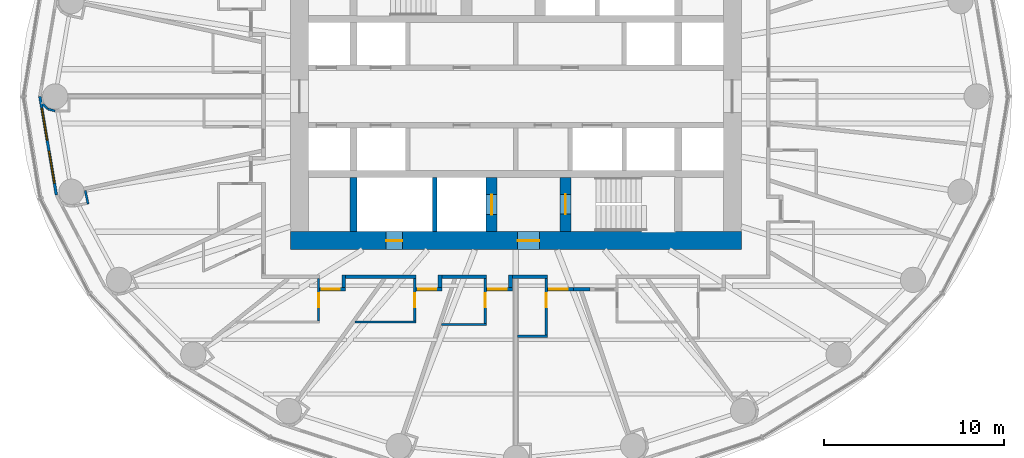
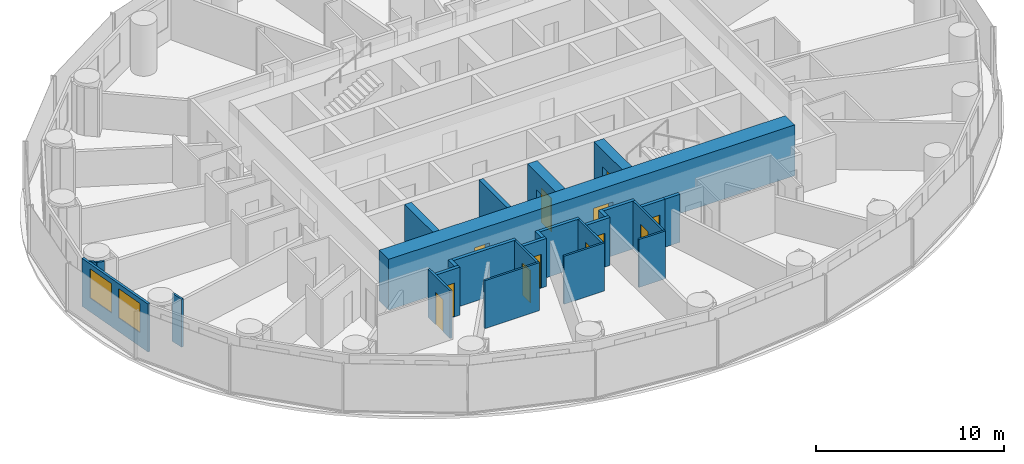
# One storey, part 7 of 14: 27 walls, 12 doors, 2 windows, 14 openings.
"""IFC4 building model written with IfcOpenShell, lengths in metres."""

from ifc_helpers import new_model, si_unit, direction, frame, frame_2d, origin, place, context, subcontext, project, spatial, rectangle, extrude, material, layer, layer_set, type_object, element, fill, save


model = new_model("IFC4")

# Units and contexts
model_context = context("Model", 3, precision=1e-05, world=origin(), true_north=direction((0.0, 1.0)))
body_context = subcontext(model_context, "Body", "Model", "MODEL_VIEW")
ifc_project = project(units=[si_unit("LENGTHUNIT", "METRE"), si_unit("AREAUNIT", "SQUARE_METRE"), si_unit("VOLUMEUNIT", "CUBIC_METRE"), si_unit("PLANEANGLEUNIT", "RADIAN"), si_unit("MASSUNIT", "GRAM", prefix="KILO")], contexts=[model_context])

# Site, building, storey
site_placement = place(None, origin())
site = spatial("IfcSite", under=ifc_project, at=site_placement, CompositionType="ELEMENT")
building_placement = place(site_placement, origin())
building = spatial("IfcBuilding", under=site, at=building_placement, Name="Hankou Lantern Tower", CompositionType="ELEMENT")
storey_placement = place(building_placement, frame((0.0, 0.0, 50.699951171875)))
storey = spatial("IfcBuildingStorey", under=building, at=storey_placement, Name="L11", CompositionType="ELEMENT", Elevation=50.699951171875)

# Wall, openings, doors
ifc_material_1 = material(Name="Concrete C60", Category="concrete")
ifc_layer_1 = layer(ifc_material_1, 1.0)
ifc_layer_set_1 = layer_set([ifc_layer_1], Name="Concrete C60")
wall_type_1 = type_object("IfcWallType", Name="CW1 CORE WALL 1000", PredefinedType="SHEAR", material=ifc_layer_set_1)
wall_1_placement = place(storey_placement, frame((12.5, -8.0, 0.0), z_axis=(0.0, 0.0, 1.0), x_axis=(-1.0, 0.0, 0.0)))
wall_1 = element("IfcWall", 1, at=wall_1_placement, inside=storey, type_object=wall_type_1, Name="Core wall south L11", PredefinedType="SHEAR", context=body_context, shape_type="SweptSolid", body=[
    extrude(rectangle(XDim=25.0, YDim=1.0, at=frame_2d((12.5, 0.0))), origin(), (0.0, 0.0, 1.0), 3.300048828125),
])
opening_1_placement = place(wall_1_placement, frame((11.199951171875, 0.0, 0.0)))
opening_1 = element("IfcOpeningElement", 2, at=opening_1_placement, cuts=wall_1, Name="Opening D5", PredefinedType="OPENING", context=body_context, shape_type="SweptSolid", body=[
    extrude(rectangle(XDim=1.199951171875, YDim=2.199951171875, at=frame_2d((0.60009765625, 1.10009765625))), frame((0.0, 0.510009765625, 0.0), z_axis=(0.0, -1.0, 0.0), x_axis=(1.0, 0.0, 0.0)), (0.0, 0.0, 1.0), 1.02001953125),
])
opening_2_placement = place(wall_1_placement, frame((18.800048828125, 0.0, 0.0)))
opening_2 = element("IfcOpeningElement", 3, at=opening_2_placement, cuts=wall_1, Name="Opening D7", PredefinedType="OPENING", context=body_context, shape_type="SweptSolid", body=[
    extrude(rectangle(XDim=0.89990234375, YDim=2.199951171875, at=frame_2d((0.449951171875, 1.10009765625))), frame((0.0, 0.510009765625, 0.0), z_axis=(0.0, -1.0, 0.0), x_axis=(1.0, 0.0, 0.0)), (0.0, 0.0, 1.0), 1.02001953125),
])
ifc_material_2 = material(Name="Steel door leaf", Category="steel")
door_type_1 = type_object("IfcDoorType", Name="D5 STAIR LOBBY DOOR 1200X2200", OperationType="SINGLE_SWING_LEFT", PredefinedType="DOOR", material=ifc_material_2)
door_1_placement = place(opening_1_placement, origin())
door_1 = element("IfcDoor", 4, at=door_1_placement, inside=storey, type_object=door_type_1, Name="Stair B lobby door", OperationType="SINGLE_SWING_LEFT", OverallHeight=2.199951171875, OverallWidth=1.199951171875, PredefinedType="DOOR", context=body_context, shape_type="SweptSolid", body=[
    extrude(rectangle(XDim=1.199951171875, YDim=2.199951171875, at=frame_2d((0.60009765625, 1.10009765625))), frame((0.0, 0.02490234375, 0.0), z_axis=(0.0, -1.0, 0.0), x_axis=(1.0, 0.0, 0.0)), (0.0, 0.0, 1.0), 0.050048828125),
])
fill(opening_1, door_1)
ifc_material_3 = material(Name="Steel door leaf", Category="steel")
door_type_2 = type_object("IfcDoorType", Name="D7 RISER DOOR 900X2200", OperationType="SINGLE_SWING_LEFT", PredefinedType="DOOR", material=ifc_material_3)
door_2_placement = place(opening_2_placement, origin())
door_2 = element("IfcDoor", 5, at=door_2_placement, inside=storey, type_object=door_type_2, Name="Riser S1 door", OperationType="SINGLE_SWING_RIGHT", OverallHeight=2.199951171875, OverallWidth=0.89990234375, PredefinedType="DOOR", context=body_context, shape_type="SweptSolid", body=[
    extrude(rectangle(XDim=0.89990234375, YDim=2.199951171875, at=frame_2d((0.449951171875, 1.10009765625))), frame((0.0, 0.02490234375, 0.0), z_axis=(0.0, -1.0, 0.0), x_axis=(1.0, 0.0, 0.0)), (0.0, 0.0, 1.0), 0.050048828125),
])
fill(opening_2, door_2)

# Wall
ifc_material_4 = material(Name="Concrete C60", Category="concrete")
ifc_layer_2 = layer(ifc_material_4, 0.39990234375)
ifc_layer_set_2 = layer_set([ifc_layer_2], Name="Concrete C60")
wall_type_2 = type_object("IfcWallType", Name="CW4 CORE CROSS WALL 400", PredefinedType="SHEAR", material=ifc_layer_set_2)
wall_2_placement = place(storey_placement, frame((-9.0, -7.5, 0.0), z_axis=(0.0, 0.0, 1.0), x_axis=(0.0, 1.0, 0.0)))
element("IfcWall", 6, at=wall_2_placement, inside=storey, type_object=wall_type_2, Name="Core strip wall L11", PredefinedType="SHEAR", context=body_context, shape_type="SweptSolid", body=[
    extrude(rectangle(XDim=3.0, YDim=0.39990234375, at=frame_2d((1.5, 0.0))), origin(), (0.0, 0.0, 1.0), 3.300048828125),
])

# Wall, opening, door
ifc_material_5 = material(Name="Concrete C60", Category="concrete")
ifc_layer_3 = layer(ifc_material_5, 0.60009765625)
ifc_layer_set_3 = layer_set([ifc_layer_3], Name="Concrete C60")
wall_type_3 = type_object("IfcWallType", Name="CW6 STAIR AND SHAFT WALL 600", PredefinedType="SHEAR", material=ifc_layer_set_3)
wall_3_placement = place(storey_placement, frame((2.75, -7.5, 0.0), z_axis=(0.0, 0.0, 1.0), x_axis=(0.0, 1.0, 0.0)))
wall_3 = element("IfcWall", 7, at=wall_3_placement, inside=storey, type_object=wall_type_3, Name="Stair wall L11", PredefinedType="SHEAR", context=body_context, shape_type="SweptSolid", body=[
    extrude(rectangle(XDim=3.0, YDim=0.60009765625, at=frame_2d((1.5, 0.0))), origin(), (0.0, 0.0, 1.0), 3.300048828125),
])
opening_3_placement = place(wall_3_placement, frame((0.97509765625, 0.0, 0.0)))
opening_3 = element("IfcOpeningElement", 8, at=opening_3_placement, cuts=wall_3, Name="Opening D4", PredefinedType="OPENING", context=body_context, shape_type="SweptSolid", body=[
    extrude(rectangle(XDim=1.10009765625, YDim=2.199951171875, at=frame_2d((0.550048828125, 1.10009765625))), frame((0.0, 0.31005859375, 0.0), z_axis=(0.0, -1.0, 0.0), x_axis=(1.0, 0.0, 0.0)), (0.0, 0.0, 1.0), 0.6201171875),
])
ifc_material_6 = material(Name="Steel door leaf", Category="steel")
door_type_3 = type_object("IfcDoorType", Name="D4 STAIR DOOR 1100X2200", OperationType="SINGLE_SWING_LEFT", PredefinedType="DOOR", material=ifc_material_6)
door_3_placement = place(opening_3_placement, origin())
door_3 = element("IfcDoor", 9, at=door_3_placement, inside=storey, type_object=door_type_3, Name="Stair B door", OperationType="SINGLE_SWING_RIGHT", OverallHeight=2.199951171875, OverallWidth=1.10009765625, PredefinedType="DOOR", context=body_context, shape_type="SweptSolid", body=[
    extrude(rectangle(XDim=1.10009765625, YDim=2.199951171875, at=frame_2d((0.550048828125, 1.10009765625))), frame((0.0, 0.02490234375, 0.0), z_axis=(0.0, -1.0, 0.0), x_axis=(1.0, 0.0, 0.0)), (0.0, 0.0, 1.0), 0.050048828125),
])
fill(opening_3, door_3)

wall_4_placement = place(storey_placement, frame((-1.35009765625, -7.5, 0.0), z_axis=(0.0, 0.0, 1.0), x_axis=(0.0, 1.0, 0.0)))
wall_4 = element("IfcWall", 10, at=wall_4_placement, inside=storey, type_object=wall_type_3, Name="Firefighting lift shaft wall L11", PredefinedType="SHEAR", context=body_context, shape_type="SweptSolid", body=[
    extrude(rectangle(XDim=3.0, YDim=0.60009765625, at=frame_2d((1.5, 0.0))), origin(), (0.0, 0.0, 1.0), 3.300048828125),
])
opening_4_placement = place(wall_4_placement, frame((0.949951171875, 0.0, 0.0)))
opening_4 = element("IfcOpeningElement", 11, at=opening_4_placement, cuts=wall_4, Name="Opening LD2", PredefinedType="OPENING", context=body_context, shape_type="SweptSolid", body=[
    extrude(rectangle(XDim=1.10009765625, YDim=2.199951171875, at=frame_2d((0.550048828125, 1.10009765625))), frame((0.0, 0.31005859375, 0.0), z_axis=(0.0, -1.0, 0.0), x_axis=(1.0, 0.0, 0.0)), (0.0, 0.0, 1.0), 0.6201171875),
])
ifc_material_7 = material(Name="Steel door leaf", Category="steel")
door_type_4 = type_object("IfcDoorType", Name="LD2 FIREFIGHTING LIFT LANDING DOOR 1100X2200", OperationType="DOUBLE_DOOR_SLIDING", PredefinedType="DOOR", material=ifc_material_7)
door_4_placement = place(opening_4_placement, origin())
door_4 = element("IfcDoor", 12, at=door_4_placement, inside=storey, type_object=door_type_4, Name="Firefighting lift FL2 landing door", OperationType="DOUBLE_DOOR_SLIDING", OverallHeight=2.199951171875, OverallWidth=1.10009765625, PredefinedType="DOOR", context=body_context, shape_type="SweptSolid", body=[
    extrude(rectangle(XDim=1.10009765625, YDim=2.199951171875, at=frame_2d((0.550048828125, 1.10009765625))), frame((0.0, 0.02490234375, 0.0), z_axis=(0.0, -1.0, 0.0), x_axis=(1.0, 0.0, 0.0)), (0.0, 0.0, 1.0), 0.050048828125),
])
fill(opening_4, door_4)

# Wall, openings, windows
ifc_material_8 = material(Name="Aluminium spandrel panel on steel studs", Category="steel")
ifc_layer_4 = layer(ifc_material_8, 0.14990234375)
ifc_layer_set_4 = layer_set([ifc_layer_4], Name="Aluminium spandrel panel on steel studs")
wall_type_4 = type_object("IfcWallType", Name="EW1 INNER SKIN WALL 150", PredefinedType="ELEMENTEDWALL", material=ifc_layer_set_4)
wall_5_placement = place(storey_placement, frame((-26.39990234375, 0.0, 0.0), z_axis=(0.0, 0.0, 1.0), x_axis=(0.165642551694, -0.986185857264, 0.0)))
wall_5 = element("IfcWall", 13, at=wall_5_placement, inside=storey, type_object=wall_type_4, Name="Inner skin R13-R14 L11", PredefinedType="ELEMENTEDWALL", context=body_context, shape_type="SweptSolid", body=[
    extrude(rectangle(XDim=5.538818359375, YDim=0.14990234375, at=frame_2d((2.76953125, 0.0))), origin(), (0.0, 0.0, 1.0), 3.1201171875),
])
opening_5_placement = place(wall_5_placement, frame((0.66943359375, 0.0, 0.89990234375)))
opening_5 = element("IfcOpeningElement", 14, at=opening_5_placement, cuts=wall_5, Name="Opening W1", PredefinedType="OPENING", context=body_context, shape_type="SweptSolid", body=[
    extrude(rectangle(XDim=1.800048828125, YDim=1.89990234375, at=frame_2d((0.89990234375, 0.949951171875))), frame((0.0, 0.0849609375, 0.0), z_axis=(0.0, -1.0, 0.0), x_axis=(1.0, 0.0, 0.0)), (0.0, 0.0, 1.0), 0.169921875),
])
opening_6_placement = place(wall_5_placement, frame((3.069580078125, 0.0, 0.89990234375)))
opening_6 = element("IfcOpeningElement", 15, at=opening_6_placement, cuts=wall_5, Name="Opening W1", PredefinedType="OPENING", context=body_context, shape_type="SweptSolid", body=[
    extrude(rectangle(XDim=1.800048828125, YDim=1.89990234375, at=frame_2d((0.89990234375, 0.949951171875))), frame((0.0, 0.0849609375, 0.0), z_axis=(0.0, -1.0, 0.0), x_axis=(1.0, 0.0, 0.0)), (0.0, 0.0, 1.0), 0.169921875),
])
ifc_material_9 = material(Name="Aluminium framed double glazed window", Category="aluminium")
window_type = type_object("IfcWindowType", Name="W1 GUEST ROOM WINDOW 1800X1900", PartitioningType="DOUBLE_PANEL_VERTICAL", PredefinedType="WINDOW", material=ifc_material_9)
window_1_placement = place(opening_5_placement, origin())
window_1 = element("IfcWindow", 16, at=window_1_placement, inside=storey, type_object=window_type, Name="Window R13.1 L11", OverallHeight=1.89990234375, OverallWidth=1.800048828125, PartitioningType="SINGLE_PANEL", PredefinedType="WINDOW", context=body_context, shape_type="SweptSolid", body=[
    extrude(rectangle(XDim=1.800048828125, YDim=1.89990234375, at=frame_2d((0.89990234375, 0.949951171875))), frame((0.0, 0.030029296875, 0.0), z_axis=(0.0, -1.0, 0.0), x_axis=(1.0, 0.0, 0.0)), (0.0, 0.0, 1.0), 0.06005859375),
])
fill(opening_5, window_1)
window_2_placement = place(opening_6_placement, origin())
window_2 = element("IfcWindow", 17, at=window_2_placement, inside=storey, type_object=window_type, Name="Window R13.2 L11", OverallHeight=1.89990234375, OverallWidth=1.800048828125, PartitioningType="SINGLE_PANEL", PredefinedType="WINDOW", context=body_context, shape_type="SweptSolid", body=[
    extrude(rectangle(XDim=1.800048828125, YDim=1.89990234375, at=frame_2d((0.89990234375, 0.949951171875))), frame((0.0, 0.030029296875, 0.0), z_axis=(0.0, -1.0, 0.0), x_axis=(1.0, 0.0, 0.0)), (0.0, 0.0, 1.0), 0.06005859375),
])
fill(opening_6, window_2)

# Wall, opening, door
ifc_material_10 = material(Name="Masonry lightweight concrete block", Category="masonry")
ifc_layer_5 = layer(ifc_material_10, 0.199951171875)
ifc_layer_set_5 = layer_set([ifc_layer_5], Name="Masonry lightweight concrete block")
wall_type_5 = type_object("IfcWallType", Name="IW2 CORRIDOR WALL 200", PredefinedType="PARTITIONING", material=ifc_layer_set_5)
wall_6_placement = place(storey_placement, frame((-9.445068359375, -10.699951171875, 0.0), z_axis=(0.0, 0.0, 1.0), x_axis=(-1.0, 0.0, 0.0)))
wall_6 = element("IfcWall", 18, at=wall_6_placement, inside=storey, type_object=wall_type_5, Name="Corridor recess wall 1112 back", PredefinedType="PARTITIONING", context=body_context, shape_type="SweptSolid", body=[
    extrude(rectangle(XDim=1.43994140625, YDim=0.199951171875, at=frame_2d((0.719970703125, 0.0))), origin(), (0.0, 0.0, 1.0), 3.1201171875),
])
opening_7_placement = place(wall_6_placement, frame((0.320068359375, 0.0, 0.0)))
opening_7 = element("IfcOpeningElement", 19, at=opening_7_placement, cuts=wall_6, Name="Opening D1", PredefinedType="OPENING", context=body_context, shape_type="SweptSolid", body=[
    extrude(rectangle(XDim=1.0, YDim=2.199951171875, at=frame_2d((0.5, 1.10009765625))), frame((0.0, 0.10986328125, 0.0), z_axis=(0.0, -1.0, 0.0), x_axis=(1.0, 0.0, 0.0)), (0.0, 0.0, 1.0), 0.219970703125),
])
ifc_material_11 = material(Name="Steel door leaf", Category="steel")
door_type_5 = type_object("IfcDoorType", Name="D1 GUEST ROOM DOOR 1000X2200", OperationType="SINGLE_SWING_LEFT", PredefinedType="DOOR", material=ifc_material_11)
door_5_placement = place(opening_7_placement, origin())
door_5 = element("IfcDoor", 20, at=door_5_placement, inside=storey, type_object=door_type_5, Name="Guest room door 1112", OperationType="SINGLE_SWING_RIGHT", OverallHeight=2.199951171875, OverallWidth=1.0, PredefinedType="DOOR", context=body_context, shape_type="SweptSolid", body=[
    extrude(rectangle(XDim=1.0, YDim=2.199951171875, at=frame_2d((0.5, 1.10009765625))), frame((0.0, 0.02490234375, 0.0), z_axis=(0.0, -1.0, 0.0), x_axis=(1.0, 0.0, 0.0)), (0.0, 0.0, 1.0), 0.050048828125),
])
fill(opening_7, door_5)

# Wall
wall_7_placement = place(storey_placement, frame((-9.544921875, -9.89990234375, 0.0), z_axis=(0.0, 0.0, 1.0), x_axis=(0.0, -1.0, 0.0)))
element("IfcWall", 21, at=wall_7_placement, inside=storey, type_object=wall_type_5, Name="Corridor recess wall 1112 side", PredefinedType="PARTITIONING", context=body_context, shape_type="SweptSolid", body=[
    extrude(rectangle(XDim=0.7001953125, YDim=0.199951171875, at=frame_2d((0.35009765625, 0.0))), origin(), (0.0, 0.0, 1.0), 3.1201171875),
])

# Wall, opening, door
wall_8_placement = place(storey_placement, frame((-4.109130859375, -10.699951171875, 0.0), z_axis=(0.0, 0.0, 1.0), x_axis=(-1.0, 0.0, 0.0)))
wall_8 = element("IfcWall", 22, at=wall_8_placement, inside=storey, type_object=wall_type_5, Name="Corridor recess wall 1113 back", PredefinedType="PARTITIONING", context=body_context, shape_type="SweptSolid", body=[
    extrude(rectangle(XDim=1.43994140625, YDim=0.199951171875, at=frame_2d((0.719970703125, 0.0))), origin(), (0.0, 0.0, 1.0), 3.1201171875),
])
opening_8_placement = place(wall_8_placement, frame((0.320068359375, 0.0, 0.0)))
opening_8 = element("IfcOpeningElement", 23, at=opening_8_placement, cuts=wall_8, Name="Opening D1", PredefinedType="OPENING", context=body_context, shape_type="SweptSolid", body=[
    extrude(rectangle(XDim=1.0, YDim=2.199951171875, at=frame_2d((0.5, 1.10009765625))), frame((0.0, 0.10986328125, 0.0), z_axis=(0.0, -1.0, 0.0), x_axis=(1.0, 0.0, 0.0)), (0.0, 0.0, 1.0), 0.219970703125),
])
door_6_placement = place(opening_8_placement, origin())
door_6 = element("IfcDoor", 24, at=door_6_placement, inside=storey, type_object=door_type_5, Name="Guest room door 1113", OperationType="SINGLE_SWING_RIGHT", OverallHeight=2.199951171875, OverallWidth=1.0, PredefinedType="DOOR", context=body_context, shape_type="SweptSolid", body=[
    extrude(rectangle(XDim=1.0, YDim=2.199951171875, at=frame_2d((0.5, 1.10009765625))), frame((0.0, 0.02490234375, 0.0), z_axis=(0.0, -1.0, 0.0), x_axis=(1.0, 0.0, 0.0)), (0.0, 0.0, 1.0), 0.050048828125),
])
fill(opening_8, door_6)

# Wall
wall_9_placement = place(storey_placement, frame((-4.208984375, -9.89990234375, 0.0), z_axis=(0.0, 0.0, 1.0), x_axis=(0.0, -1.0, 0.0)))
element("IfcWall", 25, at=wall_9_placement, inside=storey, type_object=wall_type_5, Name="Corridor recess wall 1113 side", PredefinedType="PARTITIONING", context=body_context, shape_type="SweptSolid", body=[
    extrude(rectangle(XDim=0.7001953125, YDim=0.199951171875, at=frame_2d((0.35009765625, 0.0))), origin(), (0.0, 0.0, 1.0), 3.1201171875),
])

# Wall, opening, door
wall_10_placement = place(storey_placement, frame((-0.202880859375, -10.699951171875, 0.0), z_axis=(0.0, 0.0, 1.0), x_axis=(-1.0, 0.0, 0.0)))
wall_10 = element("IfcWall", 26, at=wall_10_placement, inside=storey, type_object=wall_type_5, Name="Corridor recess wall 1114 back", PredefinedType="PARTITIONING", context=body_context, shape_type="SweptSolid", body=[
    extrude(rectangle(XDim=1.43994140625, YDim=0.199951171875, at=frame_2d((0.719970703125, 0.0))), origin(), (0.0, 0.0, 1.0), 3.1201171875),
])
opening_9_placement = place(wall_10_placement, frame((0.320068359375, 0.0, 0.0)))
opening_9 = element("IfcOpeningElement", 27, at=opening_9_placement, cuts=wall_10, Name="Opening D1", PredefinedType="OPENING", context=body_context, shape_type="SweptSolid", body=[
    extrude(rectangle(XDim=1.0, YDim=2.199951171875, at=frame_2d((0.5, 1.10009765625))), frame((0.0, 0.10986328125, 0.0), z_axis=(0.0, -1.0, 0.0), x_axis=(1.0, 0.0, 0.0)), (0.0, 0.0, 1.0), 0.219970703125),
])
door_7_placement = place(opening_9_placement, origin())
door_7 = element("IfcDoor", 28, at=door_7_placement, inside=storey, type_object=door_type_5, Name="Guest room door 1114", OperationType="SINGLE_SWING_RIGHT", OverallHeight=2.199951171875, OverallWidth=1.0, PredefinedType="DOOR", context=body_context, shape_type="SweptSolid", body=[
    extrude(rectangle(XDim=1.0, YDim=2.199951171875, at=frame_2d((0.5, 1.10009765625))), frame((0.0, 0.02490234375, 0.0), z_axis=(0.0, -1.0, 0.0), x_axis=(1.0, 0.0, 0.0)), (0.0, 0.0, 1.0), 0.050048828125),
])
fill(opening_9, door_7)

# Wall
wall_11_placement = place(storey_placement, frame((-0.302978515625, -9.89990234375, 0.0), z_axis=(0.0, 0.0, 1.0), x_axis=(0.0, -1.0, 0.0)))
element("IfcWall", 29, at=wall_11_placement, inside=storey, type_object=wall_type_5, Name="Corridor recess wall 1114 side", PredefinedType="PARTITIONING", context=body_context, shape_type="SweptSolid", body=[
    extrude(rectangle(XDim=0.7001953125, YDim=0.199951171875, at=frame_2d((0.35009765625, 0.0))), origin(), (0.0, 0.0, 1.0), 3.1201171875),
])

# Wall, opening, door
wall_12_placement = place(storey_placement, frame((3.179931640625, -10.699951171875, 0.0), z_axis=(0.0, 0.0, 1.0), x_axis=(-1.0, 0.0, 0.0)))
wall_12 = element("IfcWall", 30, at=wall_12_placement, inside=storey, type_object=wall_type_5, Name="Corridor recess wall 1115 back", PredefinedType="PARTITIONING", context=body_context, shape_type="SweptSolid", body=[
    extrude(rectangle(XDim=1.43994140625, YDim=0.199951171875, at=frame_2d((0.719970703125, 0.0))), origin(), (0.0, 0.0, 1.0), 3.1201171875),
])
opening_10_placement = place(wall_12_placement, frame((0.320068359375, 0.0, 0.0)))
opening_10 = element("IfcOpeningElement", 31, at=opening_10_placement, cuts=wall_12, Name="Opening D1", PredefinedType="OPENING", context=body_context, shape_type="SweptSolid", body=[
    extrude(rectangle(XDim=1.0, YDim=2.199951171875, at=frame_2d((0.5, 1.10009765625))), frame((0.0, 0.10986328125, 0.0), z_axis=(0.0, -1.0, 0.0), x_axis=(1.0, 0.0, 0.0)), (0.0, 0.0, 1.0), 0.219970703125),
])
door_8_placement = place(opening_10_placement, origin())
door_8 = element("IfcDoor", 32, at=door_8_placement, inside=storey, type_object=door_type_5, Name="Guest room door 1115", OperationType="SINGLE_SWING_RIGHT", OverallHeight=2.199951171875, OverallWidth=1.0, PredefinedType="DOOR", context=body_context, shape_type="SweptSolid", body=[
    extrude(rectangle(XDim=1.0, YDim=2.199951171875, at=frame_2d((0.5, 1.10009765625))), frame((0.0, 0.02490234375, 0.0), z_axis=(0.0, -1.0, 0.0), x_axis=(1.0, 0.0, 0.0)), (0.0, 0.0, 1.0), 0.050048828125),
])
fill(opening_10, door_8)

# Walls
wall_13_placement = place(storey_placement, frame((4.109130859375, -10.699951171875, 0.0), z_axis=(0.0, 0.0, 1.0), x_axis=(-1.0, 0.0, 0.0)))
element("IfcWall", 33, at=wall_13_placement, inside=storey, type_object=wall_type_5, Name="Corridor recess wall 1116 and 1115 back", PredefinedType="PARTITIONING", context=body_context, shape_type="SweptSolid", body=[
    extrude(rectangle(XDim=0.92919921875, YDim=0.199951171875, at=frame_2d((0.464599609375, 0.0))), origin(), (0.0, 0.0, 1.0), 3.1201171875),
])
wall_14_placement = place(storey_placement, frame((1.739990234375, -10.0, 0.0), z_axis=(0.0, 0.0, 1.0), x_axis=(-1.0, 0.0, 0.0)))
element("IfcWall", 34, at=wall_14_placement, inside=storey, type_object=wall_type_5, Name="Corridor wall south", PredefinedType="PARTITIONING", context=body_context, shape_type="SweptSolid", body=[
    extrude(rectangle(XDim=1.94287109375, YDim=0.199951171875, at=frame_2d((0.971435546875, 0.0))), origin(), (0.0, 0.0, 1.0), 3.1201171875),
])
wall_15_placement = place(storey_placement, frame((-1.642822265625, -10.0, 0.0), z_axis=(0.0, 0.0, 1.0), x_axis=(-1.0, 0.0, 0.0)))
element("IfcWall", 35, at=wall_15_placement, inside=storey, type_object=wall_type_5, Name="Corridor wall south", PredefinedType="PARTITIONING", context=body_context, shape_type="SweptSolid", body=[
    extrude(rectangle(XDim=2.46630859375, YDim=0.199951171875, at=frame_2d((1.233154296875, 0.0))), origin(), (0.0, 0.0, 1.0), 3.1201171875),
])
wall_16_placement = place(storey_placement, frame((-5.549072265625, -10.0, 0.0), z_axis=(0.0, 0.0, 1.0), x_axis=(-1.0, 0.0, 0.0)))
element("IfcWall", 36, at=wall_16_placement, inside=storey, type_object=wall_type_5, Name="Corridor wall south", PredefinedType="PARTITIONING", context=body_context, shape_type="SweptSolid", body=[
    extrude(rectangle(XDim=3.89599609375, YDim=0.199951171875, at=frame_2d((1.947998046875, 0.0))), origin(), (0.0, 0.0, 1.0), 3.1201171875),
])

# Wall, opening, door
ifc_material_12 = material(Name="Masonry lightweight concrete block", Category="masonry")
ifc_layer_6 = layer(ifc_material_12, 0.1201171875)
ifc_layer_set_6 = layer_set([ifc_layer_6], Name="Masonry lightweight concrete block")
wall_type_6 = type_object("IfcWallType", Name="IW3 BATHROOM WALL 120", PredefinedType="PARTITIONING", material=ifc_layer_set_6)
wall_17_placement = place(storey_placement, frame((-10.945068359375, -10.10009765625, 0.0), z_axis=(0.0, 0.0, 1.0), x_axis=(0.0, -1.0, 0.0)))
wall_17 = element("IfcWall", 37, at=wall_17_placement, inside=storey, type_object=wall_type_6, Name="Box wall 1112 1", PredefinedType="PARTITIONING", context=body_context, shape_type="SweptSolid", body=[
    extrude(rectangle(XDim=2.33984375, YDim=0.1201171875, at=frame_2d((1.169921875, 0.0))), origin(), (0.0, 0.0, 1.0), 3.1201171875),
])
opening_11_placement = place(wall_17_placement, frame((0.800048828125, 0.0, 0.0)))
opening_11 = element("IfcOpeningElement", 38, at=opening_11_placement, cuts=wall_17, Name="Opening D3", PredefinedType="OPENING", context=body_context, shape_type="SweptSolid", body=[
    extrude(rectangle(XDim=0.800048828125, YDim=2.10009765625, at=frame_2d((0.39990234375, 1.050048828125))), frame((0.0, 0.070068359375, 0.0), z_axis=(0.0, -1.0, 0.0), x_axis=(1.0, 0.0, 0.0)), (0.0, 0.0, 1.0), 0.14013671875),
])
ifc_material_13 = material(Name="Timber door leaf", Category="wood")
door_type_6 = type_object("IfcDoorType", Name="D3 BATHROOM DOOR 800X2100", OperationType="SINGLE_SWING_LEFT", PredefinedType="DOOR", material=ifc_material_13)
door_9_placement = place(opening_11_placement, origin())
door_9 = element("IfcDoor", 39, at=door_9_placement, inside=storey, type_object=door_type_6, Name="En-suite bathroom 1112 door", OperationType="SINGLE_SWING_LEFT", OverallHeight=2.10009765625, OverallWidth=0.800048828125, PredefinedType="DOOR", context=body_context, shape_type="SweptSolid", body=[
    extrude(rectangle(XDim=0.800048828125, YDim=2.10009765625, at=frame_2d((0.39990234375, 1.050048828125))), frame((0.0, 0.02490234375, 0.0), z_axis=(0.0, -1.0, 0.0), x_axis=(1.0, 0.0, 0.0)), (0.0, 0.0, 1.0), 0.050048828125),
])
fill(opening_11, door_9)

# Wall
wall_18_placement = place(storey_placement, frame((-8.921142578125, -12.5, 0.0), z_axis=(0.0, 0.0, 1.0), x_axis=(1.0, 0.0, 0.0)))
element("IfcWall", 40, at=wall_18_placement, inside=storey, type_object=wall_type_6, Name="Box wall 1113 1", PredefinedType="PARTITIONING", context=body_context, shape_type="SweptSolid", body=[
    extrude(rectangle(XDim=3.3720703125, YDim=0.1201171875, at=frame_2d((1.68603515625, 0.0))), origin(), (0.0, 0.0, 1.0), 3.1201171875),
])

# Wall, opening, door
wall_19_placement = place(storey_placement, frame((-5.609130859375, -10.10009765625, 0.0), z_axis=(0.0, 0.0, 1.0), x_axis=(0.0, -1.0, 0.0)))
wall_19 = element("IfcWall", 41, at=wall_19_placement, inside=storey, type_object=wall_type_6, Name="Box wall 1113 1", PredefinedType="PARTITIONING", context=body_context, shape_type="SweptSolid", body=[
    extrude(rectangle(XDim=2.33984375, YDim=0.1201171875, at=frame_2d((1.169921875, 0.0))), origin(), (0.0, 0.0, 1.0), 3.1201171875),
])
opening_12_placement = place(wall_19_placement, frame((0.800048828125, 0.0, 0.0)))
opening_12 = element("IfcOpeningElement", 42, at=opening_12_placement, cuts=wall_19, Name="Opening D3", PredefinedType="OPENING", context=body_context, shape_type="SweptSolid", body=[
    extrude(rectangle(XDim=0.800048828125, YDim=2.10009765625, at=frame_2d((0.39990234375, 1.050048828125))), frame((0.0, 0.070068359375, 0.0), z_axis=(0.0, -1.0, 0.0), x_axis=(1.0, 0.0, 0.0)), (0.0, 0.0, 1.0), 0.14013671875),
])
door_10_placement = place(opening_12_placement, origin())
door_10 = element("IfcDoor", 43, at=door_10_placement, inside=storey, type_object=door_type_6, Name="En-suite bathroom 1113 door", OperationType="SINGLE_SWING_LEFT", OverallHeight=2.10009765625, OverallWidth=0.800048828125, PredefinedType="DOOR", context=body_context, shape_type="SweptSolid", body=[
    extrude(rectangle(XDim=0.800048828125, YDim=2.10009765625, at=frame_2d((0.39990234375, 1.050048828125))), frame((0.0, 0.02490234375, 0.0), z_axis=(0.0, -1.0, 0.0), x_axis=(1.0, 0.0, 0.0)), (0.0, 0.0, 1.0), 0.050048828125),
])
fill(opening_12, door_10)

# Wall
wall_20_placement = place(storey_placement, frame((-4.136962890625, -12.64990234375, 0.0), z_axis=(0.0, 0.0, 1.0), x_axis=(1.0, 0.0, 0.0)))
element("IfcWall", 44, at=wall_20_placement, inside=storey, type_object=wall_type_6, Name="Box wall 1114 1", PredefinedType="PARTITIONING", context=body_context, shape_type="SweptSolid", body=[
    extrude(rectangle(XDim=2.494140625, YDim=0.1201171875, at=frame_2d((1.2470703125, 0.0))), origin(), (0.0, 0.0, 1.0), 3.1201171875),
])

# Wall, opening, door
wall_21_placement = place(storey_placement, frame((-1.702880859375, -10.10009765625, 0.0), z_axis=(0.0, 0.0, 1.0), x_axis=(0.0, -1.0, 0.0)))
wall_21 = element("IfcWall", 45, at=wall_21_placement, inside=storey, type_object=wall_type_6, Name="Box wall 1114 1", PredefinedType="PARTITIONING", context=body_context, shape_type="SweptSolid", body=[
    extrude(rectangle(XDim=2.489990234375, YDim=0.1201171875, at=frame_2d((1.2451171875, 0.0))), origin(), (0.0, 0.0, 1.0), 3.1201171875),
])
opening_13_placement = place(wall_21_placement, frame((0.800048828125, 0.0, 0.0)))
opening_13 = element("IfcOpeningElement", 46, at=opening_13_placement, cuts=wall_21, Name="Opening D3", PredefinedType="OPENING", context=body_context, shape_type="SweptSolid", body=[
    extrude(rectangle(XDim=0.800048828125, YDim=2.10009765625, at=frame_2d((0.39990234375, 1.050048828125))), frame((0.0, 0.070068359375, 0.0), z_axis=(0.0, -1.0, 0.0), x_axis=(1.0, 0.0, 0.0)), (0.0, 0.0, 1.0), 0.14013671875),
])
door_11_placement = place(opening_13_placement, origin())
door_11 = element("IfcDoor", 47, at=door_11_placement, inside=storey, type_object=door_type_6, Name="En-suite bathroom 1114 door", OperationType="SINGLE_SWING_LEFT", OverallHeight=2.10009765625, OverallWidth=0.800048828125, PredefinedType="DOOR", context=body_context, shape_type="SweptSolid", body=[
    extrude(rectangle(XDim=0.800048828125, YDim=2.10009765625, at=frame_2d((0.39990234375, 1.050048828125))), frame((0.0, 0.02490234375, 0.0), z_axis=(0.0, -1.0, 0.0), x_axis=(1.0, 0.0, 0.0)), (0.0, 0.0, 1.0), 0.050048828125),
])
fill(opening_13, door_11)

# Wall
wall_22_placement = place(storey_placement, frame((0.10009765625, -13.300048828125, 0.0), z_axis=(0.0, 0.0, 1.0), x_axis=(1.0, 0.0, 0.0)))
element("IfcWall", 48, at=wall_22_placement, inside=storey, type_object=wall_type_6, Name="Box wall 1115 1", PredefinedType="PARTITIONING", context=body_context, shape_type="SweptSolid", body=[
    extrude(rectangle(XDim=1.639892578125, YDim=0.1201171875, at=frame_2d((0.81982421875, 0.0))), origin(), (0.0, 0.0, 1.0), 3.1201171875),
])

# Wall, opening, door
wall_23_placement = place(storey_placement, frame((1.679931640625, -10.10009765625, 0.0), z_axis=(0.0, 0.0, 1.0), x_axis=(0.0, -1.0, 0.0)))
wall_23 = element("IfcWall", 49, at=wall_23_placement, inside=storey, type_object=wall_type_6, Name="Box wall 1115 1", PredefinedType="PARTITIONING", context=body_context, shape_type="SweptSolid", body=[
    extrude(rectangle(XDim=3.139892578125, YDim=0.1201171875, at=frame_2d((1.56982421875, 0.0))), origin(), (0.0, 0.0, 1.0), 3.1201171875),
])
opening_14_placement = place(wall_23_placement, frame((0.800048828125, 0.0, 0.0)))
opening_14 = element("IfcOpeningElement", 50, at=opening_14_placement, cuts=wall_23, Name="Opening D3", PredefinedType="OPENING", context=body_context, shape_type="SweptSolid", body=[
    extrude(rectangle(XDim=0.800048828125, YDim=2.10009765625, at=frame_2d((0.39990234375, 1.050048828125))), frame((0.0, 0.070068359375, 0.0), z_axis=(0.0, -1.0, 0.0), x_axis=(1.0, 0.0, 0.0)), (0.0, 0.0, 1.0), 0.14013671875),
])
door_12_placement = place(opening_14_placement, origin())
door_12 = element("IfcDoor", 51, at=door_12_placement, inside=storey, type_object=door_type_6, Name="En-suite bathroom 1115 door", OperationType="SINGLE_SWING_LEFT", OverallHeight=2.10009765625, OverallWidth=0.800048828125, PredefinedType="DOOR", context=body_context, shape_type="SweptSolid", body=[
    extrude(rectangle(XDim=0.800048828125, YDim=2.10009765625, at=frame_2d((0.39990234375, 1.050048828125))), frame((0.0, 0.02490234375, 0.0), z_axis=(0.0, -1.0, 0.0), x_axis=(1.0, 0.0, 0.0)), (0.0, 0.0, 1.0), 0.050048828125),
])
fill(opening_14, door_12)

# Walls
ifc_material_14 = material(Name="Masonry lightweight concrete block", Category="masonry")
ifc_layer_7 = layer(ifc_material_14, 0.1201171875)
ifc_layer_set_7 = layer_set([ifc_layer_7], Name="Masonry lightweight concrete block")
wall_type_7 = type_object("IfcWallType", Name="IW4 PARTITION 120", PredefinedType="PARTITIONING", material=ifc_layer_set_7)
wall_24_placement = place(storey_placement, frame((-25.550048828125, -0.8076171875, 0.0), z_axis=(0.0, 0.0, 1.0), x_axis=(-0.965807183573, 0.2592614205, 0.0)))
element("IfcWall", 52, at=wall_24_placement, inside=storey, type_object=wall_type_7, Name="Column casing R13", PredefinedType="PARTITIONING", context=body_context, shape_type="SweptSolid", body=[
    extrude(rectangle(XDim=0.418212890625, YDim=0.1201171875, at=frame_2d((0.208984375, 0.0))), origin(), (0.0, 0.0, 1.0), 3.1201171875),
])
wall_25_placement = place(storey_placement, frame((-25.953857421875, -0.69921875, 0.0), z_axis=(0.0, 0.0, 1.0), x_axis=(-0.707106781187, 0.707106781187, 0.0)))
element("IfcWall", 53, at=wall_25_placement, inside=storey, type_object=wall_type_7, Name="Column casing R13", PredefinedType="PARTITIONING", context=body_context, shape_type="SweptSolid", body=[
    extrude(rectangle(XDim=0.417724609375, YDim=0.1201171875, at=frame_2d((0.208984375, 0.0))), origin(), (0.0, 0.0, 1.0), 3.1201171875),
])
wall_26_placement = place(storey_placement, frame((-23.8828125, -5.2216796875, 0.0), z_axis=(0.0, 0.0, 1.0), x_axis=(0.209311842415, -0.977848941619, 0.0)))
element("IfcWall", 54, at=wall_26_placement, inside=storey, type_object=wall_type_7, Name="Column casing R14 return", PredefinedType="PARTITIONING", context=body_context, shape_type="SweptSolid", body=[
    extrude(rectangle(XDim=0.767578125, YDim=0.1201171875, at=frame_2d((0.3837890625, 0.0))), origin(), (0.0, 0.0, 1.0), 3.1201171875),
])
ifc_material_15 = material(Name="Masonry autoclaved aerated concrete block", Category="masonry")
ifc_layer_8 = layer(ifc_material_15, 0.25)
ifc_layer_set_8 = layer_set([ifc_layer_8], Name="Masonry autoclaved aerated concrete block")
wall_type_8 = type_object("IfcWallType", Name="SW1 SHAFT BLOCK WALL 250", PredefinedType="PARTITIONING", material=ifc_layer_set_8)
wall_27_placement = place(storey_placement, frame((-4.5, -7.5, 0.0), z_axis=(0.0, 0.0, 1.0), x_axis=(0.0, 1.0, 0.0)))
element("IfcWall", 55, at=wall_27_placement, inside=storey, type_object=wall_type_8, Name="Riser wall L11", PredefinedType="PARTITIONING", context=body_context, shape_type="SweptSolid", body=[
    extrude(rectangle(XDim=3.0, YDim=0.25, at=frame_2d((1.5, 0.0))), origin(), (0.0, 0.0, 1.0), 3.300048828125),
])

save(model, "model.ifc")
